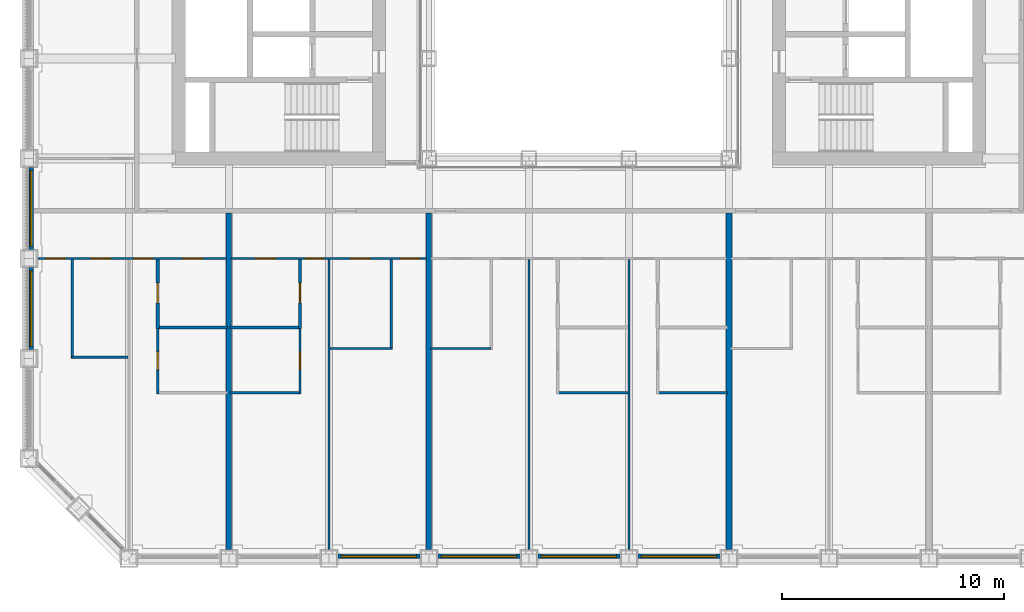
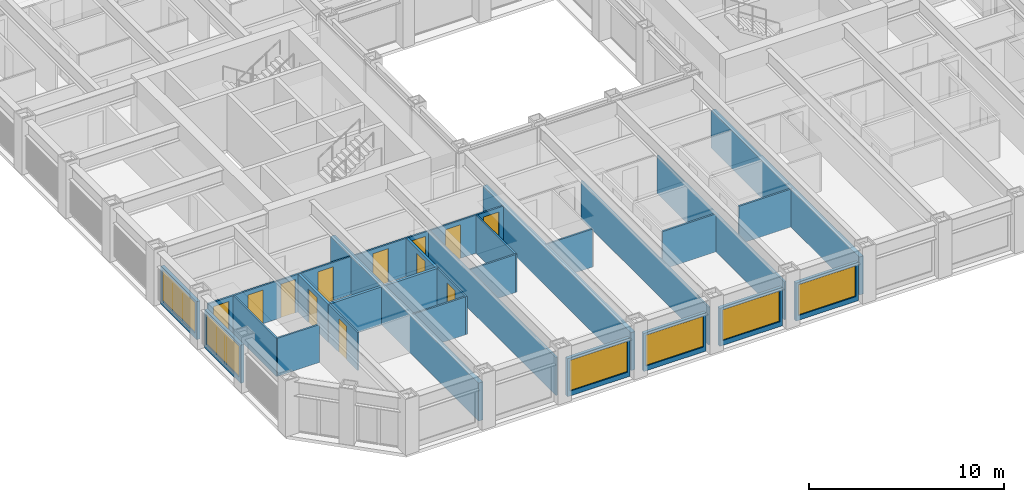
# One storey, part 9 of 21: 28 walls, 12 doors, 6 windows, 18 openings.
"""IFC4 building model written with IfcOpenShell, lengths in metres."""

from ifc_helpers import new_model, si_unit, direction, frame, frame_2d, origin, place, context, subcontext, project, spatial, rectangle, extrude, material, layer, layer_set, type_object, element, fill, save


model = new_model("IFC4")

# Units and contexts
model_context = context("Model", 3, precision=1e-05, world=origin(), true_north=direction((0.0, 1.0)))
body_context = subcontext(model_context, "Body", "Model", "MODEL_VIEW")
ifc_project = project(units=[si_unit("LENGTHUNIT", "METRE"), si_unit("AREAUNIT", "SQUARE_METRE"), si_unit("VOLUMEUNIT", "CUBIC_METRE"), si_unit("PLANEANGLEUNIT", "RADIAN"), si_unit("MASSUNIT", "GRAM", prefix="KILO")], contexts=[model_context])

# Site, building, storey
site_placement = place(None, origin())
site = spatial("IfcSite", under=ifc_project, at=site_placement, CompositionType="ELEMENT")
building_placement = place(site_placement, origin())
building = spatial("IfcBuilding", under=site, at=building_placement, Name="Msasa Ring Tower", CompositionType="ELEMENT")
storey_placement = place(building_placement, frame((0.0, 0.0, 54.5)))
storey = spatial("IfcBuildingStorey", under=building, at=storey_placement, Name="L13", CompositionType="ELEMENT", Elevation=54.5)

# Wall, opening, window
ifc_material_1 = material(Name="Terracotta rainscreen on blockwork", Category="masonry")
ifc_layer_1 = layer(ifc_material_1, 0.199951171875)
ifc_layer_set_1 = layer_set([ifc_layer_1], Name="FW1 TERRACOTTA-LINED INFILL BAY WALL 200")
wall_type_1 = type_object("IfcWallType", Name="FW1 TERRACOTTA-LINED INFILL BAY WALL 200", PredefinedType="SOLIDWALL", material=ifc_layer_set_1)
wall_1_placement = place(storey_placement, frame((-10.844970703125, -24.64990234375, 0.0), z_axis=(0.0, 0.0, 1.0), x_axis=(1.0, 0.0, 0.0)))
wall_1 = element("IfcWall", 1, at=wall_1_placement, inside=storey, type_object=wall_type_1, Name="Infill bay wall S L13 02", PredefinedType="SOLIDWALL", context=body_context, shape_type="SweptSolid", body=[
    extrude(rectangle(XDim=3.68994140625, YDim=0.199951171875, at=frame_2d((1.844970703125, 0.0))), origin(), (0.0, 0.0, 1.0), 2.37890625),
])
opening_1_placement = place(wall_1_placement, frame((0.14501953125, 0.0, 0.300048828125)))
opening_1 = element("IfcOpeningElement", 2, at=opening_1_placement, cuts=wall_1, Name="Opening WN1", PredefinedType="OPENING", context=body_context, shape_type="SweptSolid", body=[
    extrude(rectangle(XDim=3.39990234375, YDim=1.928955078125, at=frame_2d((1.699951171875, 0.96435546875))), frame((0.0, 0.10986328125, 0.0), z_axis=(0.0, -1.0, 0.0), x_axis=(1.0, 0.0, 0.0)), (0.0, 0.0, 1.0), 0.219970703125),
])
ifc_material_2 = material(Name="Aluminium frame with clear glass", Category="aluminium")
window_type = type_object("IfcWindowType", Name="WN1 RESIDENCE WINDOW 3400x1929", PartitioningType="SINGLE_PANEL", PredefinedType="WINDOW", material=ifc_material_2)
window_1_placement = place(opening_1_placement, origin())
window_1 = element("IfcWindow", 3, at=window_1_placement, inside=storey, type_object=window_type, Name="Window S L13 02", OverallHeight=1.928955078125, OverallWidth=3.39990234375, PartitioningType="SINGLE_PANEL", PredefinedType="WINDOW", context=body_context, shape_type="SweptSolid", body=[
    extrude(rectangle(XDim=3.39990234375, YDim=1.928955078125, at=frame_2d((1.699951171875, 0.96435546875))), frame((0.0, 0.030029296875, 0.0), z_axis=(0.0, -1.0, 0.0), x_axis=(1.0, 0.0, 0.0)), (0.0, 0.0, 1.0), 0.06005859375),
])
fill(opening_1, window_1)

wall_2_placement = place(storey_placement, frame((-6.344970703125, -24.64990234375, 0.0), z_axis=(0.0, 0.0, 1.0), x_axis=(1.0, 0.0, 0.0)))
wall_2 = element("IfcWall", 4, at=wall_2_placement, inside=storey, type_object=wall_type_1, Name="Infill bay wall S L13 03", PredefinedType="SOLIDWALL", context=body_context, shape_type="SweptSolid", body=[
    extrude(rectangle(XDim=3.68994140625, YDim=0.199951171875, at=frame_2d((1.844970703125, 0.0))), origin(), (0.0, 0.0, 1.0), 2.37890625),
])
opening_2_placement = place(wall_2_placement, frame((0.14501953125, 0.0, 0.300048828125)))
opening_2 = element("IfcOpeningElement", 5, at=opening_2_placement, cuts=wall_2, Name="Opening WN1", PredefinedType="OPENING", context=body_context, shape_type="SweptSolid", body=[
    extrude(rectangle(XDim=3.39990234375, YDim=1.928955078125, at=frame_2d((1.699951171875, 0.96435546875))), frame((0.0, 0.10986328125, 0.0), z_axis=(0.0, -1.0, 0.0), x_axis=(1.0, 0.0, 0.0)), (0.0, 0.0, 1.0), 0.219970703125),
])
window_2_placement = place(opening_2_placement, origin())
window_2 = element("IfcWindow", 6, at=window_2_placement, inside=storey, type_object=window_type, Name="Window S L13 03", OverallHeight=1.928955078125, OverallWidth=3.39990234375, PartitioningType="SINGLE_PANEL", PredefinedType="WINDOW", context=body_context, shape_type="SweptSolid", body=[
    extrude(rectangle(XDim=3.39990234375, YDim=1.928955078125, at=frame_2d((1.699951171875, 0.96435546875))), frame((0.0, 0.030029296875, 0.0), z_axis=(0.0, -1.0, 0.0), x_axis=(1.0, 0.0, 0.0)), (0.0, 0.0, 1.0), 0.06005859375),
])
fill(opening_2, window_2)

wall_3_placement = place(storey_placement, frame((-1.844970703125, -24.64990234375, 0.0), z_axis=(0.0, 0.0, 1.0), x_axis=(1.0, 0.0, 0.0)))
wall_3 = element("IfcWall", 7, at=wall_3_placement, inside=storey, type_object=wall_type_1, Name="Infill bay wall S L13 04", PredefinedType="SOLIDWALL", context=body_context, shape_type="SweptSolid", body=[
    extrude(rectangle(XDim=3.68994140625, YDim=0.199951171875, at=frame_2d((1.844970703125, 0.0))), origin(), (0.0, 0.0, 1.0), 2.37890625),
])
opening_3_placement = place(wall_3_placement, frame((0.14501953125, 0.0, 0.300048828125)))
opening_3 = element("IfcOpeningElement", 8, at=opening_3_placement, cuts=wall_3, Name="Opening WN1", PredefinedType="OPENING", context=body_context, shape_type="SweptSolid", body=[
    extrude(rectangle(XDim=3.39990234375, YDim=1.928955078125, at=frame_2d((1.699951171875, 0.96435546875))), frame((0.0, 0.10986328125, 0.0), z_axis=(0.0, -1.0, 0.0), x_axis=(1.0, 0.0, 0.0)), (0.0, 0.0, 1.0), 0.219970703125),
])
window_3_placement = place(opening_3_placement, origin())
window_3 = element("IfcWindow", 9, at=window_3_placement, inside=storey, type_object=window_type, Name="Window S L13 04", OverallHeight=1.928955078125, OverallWidth=3.39990234375, PartitioningType="SINGLE_PANEL", PredefinedType="WINDOW", context=body_context, shape_type="SweptSolid", body=[
    extrude(rectangle(XDim=3.39990234375, YDim=1.928955078125, at=frame_2d((1.699951171875, 0.96435546875))), frame((0.0, 0.030029296875, 0.0), z_axis=(0.0, -1.0, 0.0), x_axis=(1.0, 0.0, 0.0)), (0.0, 0.0, 1.0), 0.06005859375),
])
fill(opening_3, window_3)

wall_4_placement = place(storey_placement, frame((2.655029296875, -24.64990234375, 0.0), z_axis=(0.0, 0.0, 1.0), x_axis=(1.0, 0.0, 0.0)))
wall_4 = element("IfcWall", 10, at=wall_4_placement, inside=storey, type_object=wall_type_1, Name="Infill bay wall S L13 05", PredefinedType="SOLIDWALL", context=body_context, shape_type="SweptSolid", body=[
    extrude(rectangle(XDim=3.68994140625, YDim=0.199951171875, at=frame_2d((1.844970703125, 0.0))), origin(), (0.0, 0.0, 1.0), 2.37890625),
])
opening_4_placement = place(wall_4_placement, frame((0.14501953125, 0.0, 0.300048828125)))
opening_4 = element("IfcOpeningElement", 11, at=opening_4_placement, cuts=wall_4, Name="Opening WN1", PredefinedType="OPENING", context=body_context, shape_type="SweptSolid", body=[
    extrude(rectangle(XDim=3.39990234375, YDim=1.928955078125, at=frame_2d((1.699951171875, 0.96435546875))), frame((0.0, 0.10986328125, 0.0), z_axis=(0.0, -1.0, 0.0), x_axis=(1.0, 0.0, 0.0)), (0.0, 0.0, 1.0), 0.219970703125),
])
window_4_placement = place(opening_4_placement, origin())
window_4 = element("IfcWindow", 12, at=window_4_placement, inside=storey, type_object=window_type, Name="Window S L13 05", OverallHeight=1.928955078125, OverallWidth=3.39990234375, PartitioningType="SINGLE_PANEL", PredefinedType="WINDOW", context=body_context, shape_type="SweptSolid", body=[
    extrude(rectangle(XDim=3.39990234375, YDim=1.928955078125, at=frame_2d((1.699951171875, 0.96435546875))), frame((0.0, 0.030029296875, 0.0), z_axis=(0.0, -1.0, 0.0), x_axis=(1.0, 0.0, 0.0)), (0.0, 0.0, 1.0), 0.06005859375),
])
fill(opening_4, window_4)

wall_5_placement = place(storey_placement, frame((-24.64990234375, -15.344970703125, 0.0), z_axis=(0.0, 0.0, 1.0), x_axis=(0.0, 1.0, 0.0)))
wall_5 = element("IfcWall", 13, at=wall_5_placement, inside=storey, type_object=wall_type_1, Name="Infill bay wall W L13 34", PredefinedType="SOLIDWALL", context=body_context, shape_type="SweptSolid", body=[
    extrude(rectangle(XDim=3.68994140625, YDim=0.199951171875, at=frame_2d((1.844970703125, 0.0))), origin(), (0.0, 0.0, 1.0), 2.37890625),
])
opening_5_placement = place(wall_5_placement, frame((0.14501953125, 0.0, 0.300048828125)))
opening_5 = element("IfcOpeningElement", 14, at=opening_5_placement, cuts=wall_5, Name="Opening WN1", PredefinedType="OPENING", context=body_context, shape_type="SweptSolid", body=[
    extrude(rectangle(XDim=3.39990234375, YDim=1.928955078125, at=frame_2d((1.699951171875, 0.96435546875))), frame((0.0, 0.10986328125, 0.0), z_axis=(0.0, -1.0, 0.0), x_axis=(1.0, 0.0, 0.0)), (0.0, 0.0, 1.0), 0.219970703125),
])
window_5_placement = place(opening_5_placement, origin())
window_5 = element("IfcWindow", 15, at=window_5_placement, inside=storey, type_object=window_type, Name="Window W L13 34", OverallHeight=1.928955078125, OverallWidth=3.39990234375, PartitioningType="SINGLE_PANEL", PredefinedType="WINDOW", context=body_context, shape_type="SweptSolid", body=[
    extrude(rectangle(XDim=3.39990234375, YDim=1.928955078125, at=frame_2d((1.699951171875, 0.96435546875))), frame((0.0, 0.030029296875, 0.0), z_axis=(0.0, -1.0, 0.0), x_axis=(1.0, 0.0, 0.0)), (0.0, 0.0, 1.0), 0.06005859375),
])
fill(opening_5, window_5)

wall_6_placement = place(storey_placement, frame((-24.64990234375, -10.844970703125, 0.0), z_axis=(0.0, 0.0, 1.0), x_axis=(0.0, 1.0, 0.0)))
wall_6 = element("IfcWall", 16, at=wall_6_placement, inside=storey, type_object=wall_type_1, Name="Infill bay wall W L13 35", PredefinedType="SOLIDWALL", context=body_context, shape_type="SweptSolid", body=[
    extrude(rectangle(XDim=3.68994140625, YDim=0.199951171875, at=frame_2d((1.844970703125, 0.0))), origin(), (0.0, 0.0, 1.0), 2.37890625),
])
opening_6_placement = place(wall_6_placement, frame((0.14501953125, 0.0, 0.300048828125)))
opening_6 = element("IfcOpeningElement", 17, at=opening_6_placement, cuts=wall_6, Name="Opening WN1", PredefinedType="OPENING", context=body_context, shape_type="SweptSolid", body=[
    extrude(rectangle(XDim=3.39990234375, YDim=1.928955078125, at=frame_2d((1.699951171875, 0.96435546875))), frame((0.0, 0.10986328125, 0.0), z_axis=(0.0, -1.0, 0.0), x_axis=(1.0, 0.0, 0.0)), (0.0, 0.0, 1.0), 0.219970703125),
])
window_6_placement = place(opening_6_placement, origin())
window_6 = element("IfcWindow", 18, at=window_6_placement, inside=storey, type_object=window_type, Name="Window W L13 35", OverallHeight=1.928955078125, OverallWidth=3.39990234375, PartitioningType="SINGLE_PANEL", PredefinedType="WINDOW", context=body_context, shape_type="SweptSolid", body=[
    extrude(rectangle(XDim=3.39990234375, YDim=1.928955078125, at=frame_2d((1.699951171875, 0.96435546875))), frame((0.0, 0.030029296875, 0.0), z_axis=(0.0, -1.0, 0.0), x_axis=(1.0, 0.0, 0.0)), (0.0, 0.0, 1.0), 0.06005859375),
])
fill(opening_6, window_6)

# Wall, openings, doors
ifc_material_3 = material(Name="Gypsum board on steel studs", Category="steel")
ifc_layer_2 = layer(ifc_material_3, 0.10009765625)
ifc_layer_set_2 = layer_set([ifc_layer_2], Name="PT2 STUD PARTITION 100")
wall_type_2 = type_object("IfcWallType", Name="PT2 STUD PARTITION 100", PredefinedType="PARTITIONING", material=ifc_layer_set_2)
wall_7_placement = place(storey_placement, frame((-24.35009765625, -11.25, 0.0), z_axis=(0.0, 0.0, 1.0), x_axis=(1.0, 0.0, 0.0)))
wall_7 = element("IfcWall", 19, at=wall_7_placement, inside=storey, type_object=wall_type_2, Name="Partition L13-US00HY", PredefinedType="PARTITIONING", context=body_context, shape_type="SweptSolid", body=[
    extrude(rectangle(XDim=8.5, YDim=0.10009765625, at=frame_2d((4.25, 0.0))), origin(), (0.0, 0.0, 1.0), 2.373291015625),
])
opening_7_placement = place(wall_7_placement, frame((2.375, 0.0, 0.0)))
opening_7 = element("IfcOpeningElement", 20, at=opening_7_placement, cuts=wall_7, Name="Opening RC-054", PredefinedType="OPENING", context=body_context, shape_type="SweptSolid", body=[
    extrude(rectangle(XDim=0.89990234375, YDim=2.10009765625, at=frame_2d((0.449951171875, 1.050048828125))), frame((0.0, 0.06005859375, 0.0), z_axis=(0.0, -1.0, 0.0), x_axis=(1.0, 0.0, 0.0)), (0.0, 0.0, 1.0), 0.1201171875),
])
opening_8_placement = place(wall_7_placement, frame((0.35009765625, 0.0, 0.0)))
opening_8 = element("IfcOpeningElement", 21, at=opening_8_placement, cuts=wall_7, Name="Opening RC-053", PredefinedType="OPENING", context=body_context, shape_type="SweptSolid", body=[
    extrude(rectangle(XDim=0.89990234375, YDim=2.10009765625, at=frame_2d((0.449951171875, 1.050048828125))), frame((0.0, 0.06005859375, 0.0), z_axis=(0.0, -1.0, 0.0), x_axis=(1.0, 0.0, 0.0)), (0.0, 0.0, 1.0), 0.1201171875),
])
opening_9_placement = place(wall_7_placement, frame((4.324951171875, 0.0, 0.0)))
opening_9 = element("IfcOpeningElement", 22, at=opening_9_placement, cuts=wall_7, Name="Opening RC-055", PredefinedType="OPENING", context=body_context, shape_type="SweptSolid", body=[
    extrude(rectangle(XDim=0.85009765625, YDim=2.10009765625, at=frame_2d((0.425048828125, 1.050048828125))), frame((0.0, 0.06005859375, 0.0), z_axis=(0.0, -1.0, 0.0), x_axis=(1.0, 0.0, 0.0)), (0.0, 0.0, 1.0), 0.1201171875),
])
opening_10_placement = place(wall_7_placement, frame((6.52001953125, 0.0, 0.0)))
opening_10 = element("IfcOpeningElement", 23, at=opening_10_placement, cuts=wall_7, Name="Opening RC-056", PredefinedType="OPENING", context=body_context, shape_type="SweptSolid", body=[
    extrude(rectangle(XDim=0.89990234375, YDim=2.10009765625, at=frame_2d((0.449951171875, 1.050048828125))), frame((0.0, 0.06005859375, 0.0), z_axis=(0.0, -1.0, 0.0), x_axis=(1.0, 0.0, 0.0)), (0.0, 0.0, 1.0), 0.1201171875),
])
ifc_material_4 = material(Name="Timber door leaf in a steel frame", Category="steel")
door_type_1 = type_object("IfcDoorType", Name="D14 BEDROOM DOOR 850x2100", OperationType="SINGLE_SWING_LEFT", PredefinedType="DOOR", material=ifc_material_4)
door_1_placement = place(opening_9_placement, origin())
door_1 = element("IfcDoor", 24, at=door_1_placement, inside=storey, type_object=door_type_1, Name="Door L13-US00R1", OperationType="SINGLE_SWING_RIGHT", OverallHeight=2.10009765625, OverallWidth=0.85009765625, PredefinedType="DOOR", context=body_context, shape_type="SweptSolid", body=[
    extrude(rectangle(XDim=0.85009765625, YDim=2.10009765625, at=frame_2d((0.425048828125, 1.050048828125))), frame((0.0, 0.02490234375, 0.0), z_axis=(0.0, -1.0, 0.0), x_axis=(1.0, 0.0, 0.0)), (0.0, 0.0, 1.0), 0.050048828125),
])
fill(opening_9, door_1)
ifc_material_5 = material(Name="Timber door leaf in a steel frame", Category="steel")
door_type_2 = type_object("IfcDoorType", Name="D22 INTERNAL HALL DOOR 900x2100", OperationType="SINGLE_SWING_LEFT", PredefinedType="DOOR", material=ifc_material_5)
door_2_placement = place(opening_7_placement, origin())
door_2 = element("IfcDoor", 25, at=door_2_placement, inside=storey, type_object=door_type_2, Name="Door L13-US00K", OperationType="SINGLE_SWING_LEFT", OverallHeight=2.10009765625, OverallWidth=0.89990234375, PredefinedType="DOOR", context=body_context, shape_type="SweptSolid", body=[
    extrude(rectangle(XDim=0.89990234375, YDim=2.10009765625, at=frame_2d((0.449951171875, 1.050048828125))), frame((0.0, 0.02490234375, 0.0), z_axis=(0.0, -1.0, 0.0), x_axis=(1.0, 0.0, 0.0)), (0.0, 0.0, 1.0), 0.050048828125),
])
fill(opening_7, door_2)
door_3_placement = place(opening_8_placement, origin())
door_3 = element("IfcDoor", 26, at=door_3_placement, inside=storey, type_object=door_type_2, Name="Door L13-US00L", OperationType="SINGLE_SWING_LEFT", OverallHeight=2.10009765625, OverallWidth=0.89990234375, PredefinedType="DOOR", context=body_context, shape_type="SweptSolid", body=[
    extrude(rectangle(XDim=0.89990234375, YDim=2.10009765625, at=frame_2d((0.449951171875, 1.050048828125))), frame((0.0, 0.02490234375, 0.0), z_axis=(0.0, -1.0, 0.0), x_axis=(1.0, 0.0, 0.0)), (0.0, 0.0, 1.0), 0.050048828125),
])
fill(opening_8, door_3)
ifc_material_6 = material(Name="Timber door leaf in a steel frame", Category="steel")
door_type_3 = type_object("IfcDoorType", Name="D3 BATHROOM DOOR 900x2100", OperationType="SINGLE_SWING_LEFT", PredefinedType="DOOR", material=ifc_material_6)
door_4_placement = place(opening_10_placement, origin())
door_4 = element("IfcDoor", 27, at=door_4_placement, inside=storey, type_object=door_type_3, Name="Door L13-US00BH1", OperationType="SINGLE_SWING_RIGHT", OverallHeight=2.10009765625, OverallWidth=0.89990234375, PredefinedType="DOOR", context=body_context, shape_type="SweptSolid", body=[
    extrude(rectangle(XDim=0.89990234375, YDim=2.10009765625, at=frame_2d((0.449951171875, 1.050048828125))), frame((0.0, 0.02490234375, 0.0), z_axis=(0.0, -1.0, 0.0), x_axis=(1.0, 0.0, 0.0)), (0.0, 0.0, 1.0), 0.050048828125),
])
fill(opening_10, door_4)

# Walls
wall_8_placement = place(storey_placement, frame((-22.800048828125, -15.7421875, 0.0), z_axis=(0.0, 0.0, 1.0), x_axis=(0.0, 1.0, 0.0)))
element("IfcWall", 28, at=wall_8_placement, inside=storey, type_object=wall_type_2, Name="Partition L13-US00KX", PredefinedType="PARTITIONING", context=body_context, shape_type="SweptSolid", body=[
    extrude(rectangle(XDim=4.442138671875, YDim=0.10009765625, at=frame_2d((2.22119140625, 0.0))), origin(), (0.0, 0.0, 1.0), 2.373291015625),
])
wall_9_placement = place(storey_placement, frame((-22.800048828125, -15.692138671875, 0.0), z_axis=(0.0, 0.0, 1.0), x_axis=(1.0, 0.0, 0.0)))
element("IfcWall", 29, at=wall_9_placement, inside=storey, type_object=wall_type_2, Name="Partition L13-US00KY", PredefinedType="PARTITIONING", context=body_context, shape_type="SweptSolid", body=[
    extrude(rectangle(XDim=2.5, YDim=0.10009765625, at=frame_2d((1.25, 0.0))), origin(), (0.0, 0.0, 1.0), 2.373291015625),
])

# Wall, opening, door
wall_10_placement = place(storey_placement, frame((-18.949951171875, -17.3408203125, 0.0), z_axis=(0.0, 0.0, 1.0), x_axis=(0.0, 1.0, 0.0)))
wall_10 = element("IfcWall", 30, at=wall_10_placement, inside=storey, type_object=wall_type_2, Name="Partition L13-US00WX1", PredefinedType="PARTITIONING", context=body_context, shape_type="SweptSolid", body=[
    extrude(rectangle(XDim=2.94091796875, YDim=0.10009765625, at=frame_2d((1.470458984375, 0.0))), origin(), (0.0, 0.0, 1.0), 2.373291015625),
])
opening_11_placement = place(wall_10_placement, frame((1.095458984375, 0.0, 0.0)))
opening_11 = element("IfcOpeningElement", 31, at=opening_11_placement, cuts=wall_10, Name="Opening RC-080", PredefinedType="OPENING", context=body_context, shape_type="SweptSolid", body=[
    extrude(rectangle(XDim=0.800048828125, YDim=2.10009765625, at=frame_2d((0.39990234375, 1.050048828125))), frame((0.0, 0.06005859375, 0.0), z_axis=(0.0, -1.0, 0.0), x_axis=(1.0, 0.0, 0.0)), (0.0, 0.0, 1.0), 0.1201171875),
])
ifc_material_7 = material(Name="Timber door leaf in a steel frame", Category="steel")
door_type_4 = type_object("IfcDoorType", Name="D60 DRESSING ROOM DOOR 800x2100", OperationType="SINGLE_SWING_LEFT", PredefinedType="DOOR", material=ifc_material_7)
door_5_placement = place(opening_11_placement, origin())
door_5 = element("IfcDoor", 32, at=door_5_placement, inside=storey, type_object=door_type_4, Name="Door L13-US00W1", OperationType="SINGLE_SWING_LEFT", OverallHeight=2.10009765625, OverallWidth=0.800048828125, PredefinedType="DOOR", context=body_context, shape_type="SweptSolid", body=[
    extrude(rectangle(XDim=0.800048828125, YDim=2.10009765625, at=frame_2d((0.39990234375, 1.050048828125))), frame((0.0, 0.02490234375, 0.0), z_axis=(0.0, -1.0, 0.0), x_axis=(1.0, 0.0, 0.0)), (0.0, 0.0, 1.0), 0.050048828125),
])
fill(opening_11, door_5)

# Wall, openings, doors
wall_11_placement = place(storey_placement, frame((-15.64990234375, -11.25, 0.0), z_axis=(0.0, 0.0, 1.0), x_axis=(1.0, 0.0, 0.0)))
wall_11 = element("IfcWall", 33, at=wall_11_placement, inside=storey, type_object=wall_type_2, Name="Partition L13-US01HY", PredefinedType="PARTITIONING", context=body_context, shape_type="SweptSolid", body=[
    extrude(rectangle(XDim=8.7998046875, YDim=0.10009765625, at=frame_2d((4.39990234375, 0.0))), origin(), (0.0, 0.0, 1.0), 2.373291015625),
])
opening_12_placement = place(wall_11_placement, frame((5.35009765625, 0.0, 0.0)))
opening_12 = element("IfcOpeningElement", 34, at=opening_12_placement, cuts=wall_11, Name="Opening RC-059", PredefinedType="OPENING", context=body_context, shape_type="SweptSolid", body=[
    extrude(rectangle(XDim=0.89990234375, YDim=2.10009765625, at=frame_2d((0.449951171875, 1.050048828125))), frame((0.0, 0.06005859375, 0.0), z_axis=(0.0, -1.0, 0.0), x_axis=(1.0, 0.0, 0.0)), (0.0, 0.0, 1.0), 0.1201171875),
])
opening_13_placement = place(wall_11_placement, frame((7.60009765625, 0.0, 0.0)))
opening_13 = element("IfcOpeningElement", 35, at=opening_13_placement, cuts=wall_11, Name="Opening RC-060", PredefinedType="OPENING", context=body_context, shape_type="SweptSolid", body=[
    extrude(rectangle(XDim=0.89990234375, YDim=2.10009765625, at=frame_2d((0.449951171875, 1.050048828125))), frame((0.0, 0.06005859375, 0.0), z_axis=(0.0, -1.0, 0.0), x_axis=(1.0, 0.0, 0.0)), (0.0, 0.0, 1.0), 0.1201171875),
])
opening_14_placement = place(wall_11_placement, frame((3.324951171875, 0.0, 0.0)))
opening_14 = element("IfcOpeningElement", 36, at=opening_14_placement, cuts=wall_11, Name="Opening RC-058", PredefinedType="OPENING", context=body_context, shape_type="SweptSolid", body=[
    extrude(rectangle(XDim=0.85009765625, YDim=2.10009765625, at=frame_2d((0.425048828125, 1.050048828125))), frame((0.0, 0.06005859375, 0.0), z_axis=(0.0, -1.0, 0.0), x_axis=(1.0, 0.0, 0.0)), (0.0, 0.0, 1.0), 0.1201171875),
])
opening_15_placement = place(wall_11_placement, frame((1.080078125, 0.0, 0.0)))
opening_15 = element("IfcOpeningElement", 37, at=opening_15_placement, cuts=wall_11, Name="Opening RC-057", PredefinedType="OPENING", context=body_context, shape_type="SweptSolid", body=[
    extrude(rectangle(XDim=0.89990234375, YDim=2.10009765625, at=frame_2d((0.449951171875, 1.050048828125))), frame((0.0, 0.06005859375, 0.0), z_axis=(0.0, -1.0, 0.0), x_axis=(1.0, 0.0, 0.0)), (0.0, 0.0, 1.0), 0.1201171875),
])
door_6_placement = place(opening_14_placement, origin())
door_6 = element("IfcDoor", 38, at=door_6_placement, inside=storey, type_object=door_type_1, Name="Door L13-US01R1", OperationType="SINGLE_SWING_LEFT", OverallHeight=2.10009765625, OverallWidth=0.85009765625, PredefinedType="DOOR", context=body_context, shape_type="SweptSolid", body=[
    extrude(rectangle(XDim=0.85009765625, YDim=2.10009765625, at=frame_2d((0.425048828125, 1.050048828125))), frame((0.0, 0.02490234375, 0.0), z_axis=(0.0, -1.0, 0.0), x_axis=(1.0, 0.0, 0.0)), (0.0, 0.0, 1.0), 0.050048828125),
])
fill(opening_14, door_6)
door_7_placement = place(opening_12_placement, origin())
door_7 = element("IfcDoor", 39, at=door_7_placement, inside=storey, type_object=door_type_2, Name="Door L13-US01K", OperationType="SINGLE_SWING_RIGHT", OverallHeight=2.10009765625, OverallWidth=0.89990234375, PredefinedType="DOOR", context=body_context, shape_type="SweptSolid", body=[
    extrude(rectangle(XDim=0.89990234375, YDim=2.10009765625, at=frame_2d((0.449951171875, 1.050048828125))), frame((0.0, 0.02490234375, 0.0), z_axis=(0.0, -1.0, 0.0), x_axis=(1.0, 0.0, 0.0)), (0.0, 0.0, 1.0), 0.050048828125),
])
fill(opening_12, door_7)
door_8_placement = place(opening_13_placement, origin())
door_8 = element("IfcDoor", 40, at=door_8_placement, inside=storey, type_object=door_type_2, Name="Door L13-US01L", OperationType="SINGLE_SWING_RIGHT", OverallHeight=2.10009765625, OverallWidth=0.89990234375, PredefinedType="DOOR", context=body_context, shape_type="SweptSolid", body=[
    extrude(rectangle(XDim=0.89990234375, YDim=2.10009765625, at=frame_2d((0.449951171875, 1.050048828125))), frame((0.0, 0.02490234375, 0.0), z_axis=(0.0, -1.0, 0.0), x_axis=(1.0, 0.0, 0.0)), (0.0, 0.0, 1.0), 0.050048828125),
])
fill(opening_13, door_8)
door_9_placement = place(opening_15_placement, origin())
door_9 = element("IfcDoor", 41, at=door_9_placement, inside=storey, type_object=door_type_3, Name="Door L13-US01BH1", OperationType="SINGLE_SWING_LEFT", OverallHeight=2.10009765625, OverallWidth=0.89990234375, PredefinedType="DOOR", context=body_context, shape_type="SweptSolid", body=[
    extrude(rectangle(XDim=0.89990234375, YDim=2.10009765625, at=frame_2d((0.449951171875, 1.050048828125))), frame((0.0, 0.02490234375, 0.0), z_axis=(0.0, -1.0, 0.0), x_axis=(1.0, 0.0, 0.0)), (0.0, 0.0, 1.0), 0.050048828125),
])
fill(opening_15, door_9)

# Walls
wall_12_placement = place(storey_placement, frame((-8.449951171875, -15.35009765625, 0.0), z_axis=(0.0, 0.0, 1.0), x_axis=(0.0, 1.0, 0.0)))
element("IfcWall", 42, at=wall_12_placement, inside=storey, type_object=wall_type_2, Name="Partition L13-US01KX", PredefinedType="PARTITIONING", context=body_context, shape_type="SweptSolid", body=[
    extrude(rectangle(XDim=4.050048828125, YDim=0.10009765625, at=frame_2d((2.02490234375, 0.0))), origin(), (0.0, 0.0, 1.0), 2.373291015625),
])
wall_13_placement = place(storey_placement, frame((-11.199951171875, -15.300048828125, 0.0), z_axis=(0.0, 0.0, 1.0), x_axis=(1.0, 0.0, 0.0)))
element("IfcWall", 43, at=wall_13_placement, inside=storey, type_object=wall_type_2, Name="Partition L13-US01KY", PredefinedType="PARTITIONING", context=body_context, shape_type="SweptSolid", body=[
    extrude(rectangle(XDim=2.75, YDim=0.10009765625, at=frame_2d((1.375, 0.0))), origin(), (0.0, 0.0, 1.0), 2.373291015625),
])
wall_14_placement = place(storey_placement, frame((-11.25, -24.35009765625, 0.0), z_axis=(0.0, 0.0, 1.0), x_axis=(0.0, 1.0, 0.0)))
element("IfcWall", 44, at=wall_14_placement, inside=storey, type_object=wall_type_2, Name="Partition L13-US01P1", PredefinedType="PARTITIONING", context=body_context, shape_type="SweptSolid", body=[
    extrude(rectangle(XDim=13.050048828125, YDim=0.10009765625, at=frame_2d((6.52490234375, 0.0))), origin(), (0.0, 0.0, 1.0), 2.373291015625),
])

# Wall, opening, door
wall_15_placement = place(storey_placement, frame((-12.550048828125, -17.343505859375, 0.0), z_axis=(0.0, 0.0, 1.0), x_axis=(0.0, 1.0, 0.0)))
wall_15 = element("IfcWall", 45, at=wall_15_placement, inside=storey, type_object=wall_type_2, Name="Partition L13-US01WX1", PredefinedType="PARTITIONING", context=body_context, shape_type="SweptSolid", body=[
    extrude(rectangle(XDim=2.943603515625, YDim=0.10009765625, at=frame_2d((1.4716796875, 0.0))), origin(), (0.0, 0.0, 1.0), 2.373291015625),
])
opening_16_placement = place(wall_15_placement, frame((1.0966796875, 0.0, 0.0)))
opening_16 = element("IfcOpeningElement", 46, at=opening_16_placement, cuts=wall_15, Name="Opening RC-081", PredefinedType="OPENING", context=body_context, shape_type="SweptSolid", body=[
    extrude(rectangle(XDim=0.800048828125, YDim=2.10009765625, at=frame_2d((0.39990234375, 1.050048828125))), frame((0.0, 0.06005859375, 0.0), z_axis=(0.0, -1.0, 0.0), x_axis=(1.0, 0.0, 0.0)), (0.0, 0.0, 1.0), 0.1201171875),
])
door_10_placement = place(opening_16_placement, origin())
door_10 = element("IfcDoor", 47, at=door_10_placement, inside=storey, type_object=door_type_4, Name="Door L13-US01W1", OperationType="SINGLE_SWING_LEFT", OverallHeight=2.10009765625, OverallWidth=0.800048828125, PredefinedType="DOOR", context=body_context, shape_type="SweptSolid", body=[
    extrude(rectangle(XDim=0.800048828125, YDim=2.10009765625, at=frame_2d((0.39990234375, 1.050048828125))), frame((0.0, 0.02490234375, 0.0), z_axis=(0.0, -1.0, 0.0), x_axis=(1.0, 0.0, 0.0)), (0.0, 0.0, 1.0), 0.050048828125),
])
fill(opening_16, door_10)

# Walls
wall_16_placement = place(storey_placement, frame((-15.68994140625, -17.29345703125, 0.0), z_axis=(0.0, 0.0, 1.0), x_axis=(1.0, 0.0, 0.0)))
element("IfcWall", 48, at=wall_16_placement, inside=storey, type_object=wall_type_2, Name="Partition L13-US01WY1", PredefinedType="PARTITIONING", context=body_context, shape_type="SweptSolid", body=[
    extrude(rectangle(XDim=3.139892578125, YDim=0.10009765625, at=frame_2d((1.56982421875, 0.0))), origin(), (0.0, 0.0, 1.0), 2.373291015625),
])
wall_17_placement = place(storey_placement, frame((-6.68994140625, -15.300048828125, 0.0), z_axis=(0.0, 0.0, 1.0), x_axis=(1.0, 0.0, 0.0)))
element("IfcWall", 49, at=wall_17_placement, inside=storey, type_object=wall_type_2, Name="Partition L13-US02KY", PredefinedType="PARTITIONING", context=body_context, shape_type="SweptSolid", body=[
    extrude(rectangle(XDim=2.739990234375, YDim=0.10009765625, at=frame_2d((1.3701171875, 0.0))), origin(), (0.0, 0.0, 1.0), 2.373291015625),
])
wall_18_placement = place(storey_placement, frame((-2.25, -24.35009765625, 0.0), z_axis=(0.0, 0.0, 1.0), x_axis=(0.0, 1.0, 0.0)))
element("IfcWall", 50, at=wall_18_placement, inside=storey, type_object=wall_type_2, Name="Partition L13-US02P1", PredefinedType="PARTITIONING", context=body_context, shape_type="SweptSolid", body=[
    extrude(rectangle(XDim=13.050048828125, YDim=0.10009765625, at=frame_2d((6.52490234375, 0.0))), origin(), (0.0, 0.0, 1.0), 2.373291015625),
])
wall_19_placement = place(storey_placement, frame((-0.949951171875, -17.29345703125, 0.0), z_axis=(0.0, 0.0, 1.0), x_axis=(1.0, 0.0, 0.0)))
element("IfcWall", 51, at=wall_19_placement, inside=storey, type_object=wall_type_2, Name="Partition L13-US02WY1", PredefinedType="PARTITIONING", context=body_context, shape_type="SweptSolid", body=[
    extrude(rectangle(XDim=3.14990234375, YDim=0.10009765625, at=frame_2d((1.574951171875, 0.0))), origin(), (0.0, 0.0, 1.0), 2.373291015625),
])
wall_20_placement = place(storey_placement, frame((2.25, -24.35009765625, 0.0), z_axis=(0.0, 0.0, 1.0), x_axis=(0.0, 1.0, 0.0)))
element("IfcWall", 52, at=wall_20_placement, inside=storey, type_object=wall_type_2, Name="Partition L13-US02P2", PredefinedType="PARTITIONING", context=body_context, shape_type="SweptSolid", body=[
    extrude(rectangle(XDim=13.050048828125, YDim=0.10009765625, at=frame_2d((6.52490234375, 0.0))), origin(), (0.0, 0.0, 1.0), 2.373291015625),
])
wall_21_placement = place(storey_placement, frame((3.550048828125, -17.29345703125, 0.0), z_axis=(0.0, 0.0, 1.0), x_axis=(1.0, 0.0, 0.0)))
element("IfcWall", 53, at=wall_21_placement, inside=storey, type_object=wall_type_2, Name="Partition L13-US02WY2", PredefinedType="PARTITIONING", context=body_context, shape_type="SweptSolid", body=[
    extrude(rectangle(XDim=3.139892578125, YDim=0.10009765625, at=frame_2d((1.56982421875, 0.0))), origin(), (0.0, 0.0, 1.0), 2.373291015625),
])
ifc_material_8 = material(Name="Dense concrete blockwork, plastered both faces", Category="masonry")
ifc_layer_3 = layer(ifc_material_8, 0.25)
ifc_layer_set_3 = layer_set([ifc_layer_3], Name="PT3 APARTMENT SEPARATING WALL 250")
wall_type_3 = type_object("IfcWallType", Name="PT3 APARTMENT SEPARATING WALL 250", PredefinedType="PARTITIONING", material=ifc_layer_set_3)
for number, where, z_axis, x_axis, name in (
    (54, (-15.75, -24.35009765625, 0.0), (0.0, 0.0, 1.0), (0.0, 1.0, 0.0), "Party wall L13-PWS-15.75"),
    (55, (-6.75, -24.35009765625, 0.0), (0.0, 0.0, 1.0), (0.0, 1.0, 0.0), "Party wall L13-PWS-6.75"),
    (56, (6.75, -24.35009765625, 0.0), (0.0, 0.0, 1.0), (0.0, 1.0, 0.0), "Party wall L13-PWS+6.75"),
):
    element("IfcWall", number, at=place(storey_placement, frame(where, z_axis=z_axis, x_axis=x_axis)), inside=storey, type_object=wall_type_3, Name=name, PredefinedType="PARTITIONING", context=body_context, shape_type="SweptSolid", body=[
        extrude(rectangle(XDim=15.150146484375, YDim=0.25, at=frame_2d((7.5751953125, 0.0))), origin(), (0.0, 0.0, 1.0), 2.373291015625),
    ])

# Wall, opening, door
ifc_material_9 = material(Name="Moisture-resistant board on steel studs with a concealed cistern and pipe void, tiled", Category="steel")
ifc_layer_4 = layer(ifc_material_9, 0.14990234375)
ifc_layer_set_4 = layer_set([ifc_layer_4], Name="PT4 BATHROOM WET WALL 150")
wall_type_4 = type_object("IfcWallType", Name="PT4 BATHROOM WET WALL 150", PredefinedType="PARTITIONING", material=ifc_layer_set_4)
wall_22_placement = place(storey_placement, frame((-18.949951171875, -14.39990234375, 0.0), z_axis=(0.0, 0.0, 1.0), x_axis=(0.0, 1.0, 0.0)))
wall_22 = element("IfcWall", 57, at=wall_22_placement, inside=storey, type_object=wall_type_4, Name="Partition L13-US00BX1", PredefinedType="PARTITIONING", context=body_context, shape_type="SweptSolid", body=[
    extrude(rectangle(XDim=3.099853515625, YDim=0.14990234375, at=frame_2d((1.5498046875, 0.0))), origin(), (0.0, 0.0, 1.0), 2.373291015625),
])
opening_17_placement = place(wall_22_placement, frame((1.14990234375, 0.0, 0.0)))
opening_17 = element("IfcOpeningElement", 58, at=opening_17_placement, cuts=wall_22, Name="Opening RC-074", PredefinedType="OPENING", context=body_context, shape_type="SweptSolid", body=[
    extrude(rectangle(XDim=0.89990234375, YDim=2.10009765625, at=frame_2d((0.449951171875, 1.050048828125))), frame((0.0, 0.0849609375, 0.0), z_axis=(0.0, -1.0, 0.0), x_axis=(1.0, 0.0, 0.0)), (0.0, 0.0, 1.0), 0.169921875),
])
door_11_placement = place(opening_17_placement, origin())
door_11 = element("IfcDoor", 59, at=door_11_placement, inside=storey, type_object=door_type_3, Name="Door L13-US00B1", OperationType="SINGLE_SWING_RIGHT", OverallHeight=2.10009765625, OverallWidth=0.89990234375, PredefinedType="DOOR", context=body_context, shape_type="SweptSolid", body=[
    extrude(rectangle(XDim=0.89990234375, YDim=2.10009765625, at=frame_2d((0.449951171875, 1.050048828125))), frame((0.0, 0.02490234375, 0.0), z_axis=(0.0, -1.0, 0.0), x_axis=(1.0, 0.0, 0.0)), (0.0, 0.0, 1.0), 0.050048828125),
])
fill(opening_17, door_11)

# Wall
wall_23_placement = place(storey_placement, frame((-18.949951171875, -14.35009765625, 0.0), z_axis=(0.0, 0.0, 1.0), x_axis=(1.0, 0.0, 0.0)))
element("IfcWall", 60, at=wall_23_placement, inside=storey, type_object=wall_type_4, Name="Partition L13-US00BY1", PredefinedType="PARTITIONING", context=body_context, shape_type="SweptSolid", body=[
    extrude(rectangle(XDim=3.139892578125, YDim=0.14990234375, at=frame_2d((1.56982421875, 0.0))), origin(), (0.0, 0.0, 1.0), 2.373291015625),
])

# Wall, opening, door
wall_24_placement = place(storey_placement, frame((-12.550048828125, -14.39990234375, 0.0), z_axis=(0.0, 0.0, 1.0), x_axis=(0.0, 1.0, 0.0)))
wall_24 = element("IfcWall", 61, at=wall_24_placement, inside=storey, type_object=wall_type_4, Name="Partition L13-US01BX1", PredefinedType="PARTITIONING", context=body_context, shape_type="SweptSolid", body=[
    extrude(rectangle(XDim=3.099853515625, YDim=0.14990234375, at=frame_2d((1.5498046875, 0.0))), origin(), (0.0, 0.0, 1.0), 2.373291015625),
])
opening_18_placement = place(wall_24_placement, frame((1.14990234375, 0.0, 0.0)))
opening_18 = element("IfcOpeningElement", 62, at=opening_18_placement, cuts=wall_24, Name="Opening RC-075", PredefinedType="OPENING", context=body_context, shape_type="SweptSolid", body=[
    extrude(rectangle(XDim=0.89990234375, YDim=2.10009765625, at=frame_2d((0.449951171875, 1.050048828125))), frame((0.0, 0.0849609375, 0.0), z_axis=(0.0, -1.0, 0.0), x_axis=(1.0, 0.0, 0.0)), (0.0, 0.0, 1.0), 0.169921875),
])
door_12_placement = place(opening_18_placement, origin())
door_12 = element("IfcDoor", 63, at=door_12_placement, inside=storey, type_object=door_type_3, Name="Door L13-US01B1", OperationType="SINGLE_SWING_RIGHT", OverallHeight=2.10009765625, OverallWidth=0.89990234375, PredefinedType="DOOR", context=body_context, shape_type="SweptSolid", body=[
    extrude(rectangle(XDim=0.89990234375, YDim=2.10009765625, at=frame_2d((0.449951171875, 1.050048828125))), frame((0.0, 0.02490234375, 0.0), z_axis=(0.0, -1.0, 0.0), x_axis=(1.0, 0.0, 0.0)), (0.0, 0.0, 1.0), 0.050048828125),
])
fill(opening_18, door_12)

# Wall
wall_25_placement = place(storey_placement, frame((-15.68994140625, -14.35009765625, 0.0), z_axis=(0.0, 0.0, 1.0), x_axis=(1.0, 0.0, 0.0)))
element("IfcWall", 64, at=wall_25_placement, inside=storey, type_object=wall_type_4, Name="Partition L13-US01BY1", PredefinedType="PARTITIONING", context=body_context, shape_type="SweptSolid", body=[
    extrude(rectangle(XDim=3.139892578125, YDim=0.14990234375, at=frame_2d((1.56982421875, 0.0))), origin(), (0.0, 0.0, 1.0), 2.373291015625),
])

save(model, "model.ifc")
